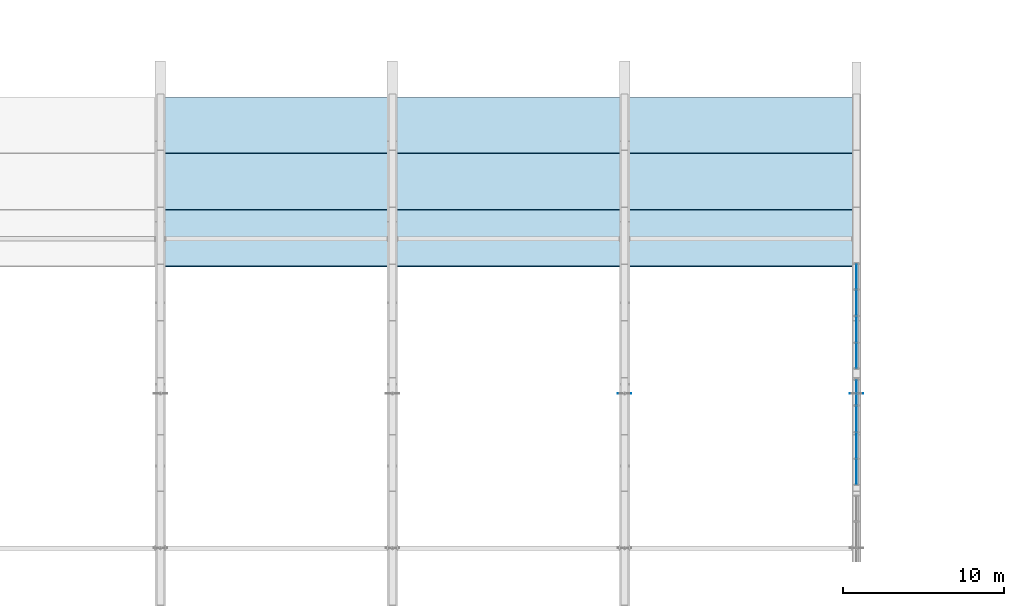
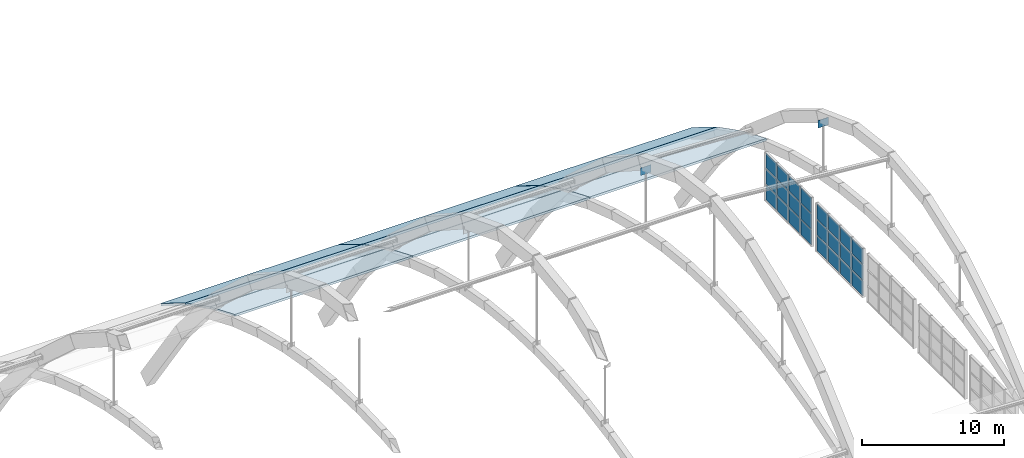
# One storey, part 42 of 64: 26 plates, 9 slabs, 2 elements without a shape of their own.
"""IFC4 building model written with IfcOpenShell, lengths in metres."""

from ifc_helpers import new_model, si_unit, direction, frame, origin, origin_2d, place, context, subcontext, project, spatial, polyline, rectangle, outline, extrude, material, layer, layer_set, type_object, element, aggregate, save


model = new_model("IFC4")

# Units and contexts
model_context = context("Model", 3, precision=1e-05, world=origin(), true_north=direction((0.0, 1.0)))
body_context = subcontext(model_context, "Body", "Model", "MODEL_VIEW")
ifc_project = project(units=[si_unit("LENGTHUNIT", "METRE"), si_unit("AREAUNIT", "SQUARE_METRE"), si_unit("VOLUMEUNIT", "CUBIC_METRE"), si_unit("PLANEANGLEUNIT", "RADIAN"), si_unit("MASSUNIT", "GRAM", prefix="KILO")], contexts=[model_context])

# Site, building, storey
site_placement = place(None, origin())
site = spatial("IfcSite", under=ifc_project, at=site_placement, CompositionType="ELEMENT")
building_placement = place(site_placement, origin())
building = spatial("IfcBuilding", under=site, at=building_placement, Name="Leyfeld Transit Interchange", CompositionType="ELEMENT")
storey_placement = place(building_placement, frame((0.0, 0.0, 9.60009765625)))
storey = spatial("IfcBuildingStorey", under=building, at=storey_placement, Name="L02", CompositionType="ELEMENT", Elevation=9.60009765625)

# Curtain wall, plates
ifc_material_1 = material(Name="Anodised aluminium EN AW-6060 T66", Category="aluminium")
curtain_wall_type = type_object("IfcCurtainWallType", Name="CW-SYS-GAB-7200", PredefinedType="NOTDEFINED", material=ifc_material_1)
curtain_wall_1_placement = place(storey_placement, origin())
curtain_wall_1 = element("IfcCurtainWall", 1, at=curtain_wall_1_placement, inside=storey, type_object=curtain_wall_type, Name="Curtain Wall CW-L02-GABE-04", PredefinedType="NOTDEFINED")
ifc_material_2 = material(Name="Laminated safety acoustic glazing", Category="glass")
ifc_layer_1 = layer(ifc_material_2, 0.048095703125, Name="Laminated safety acoustic glazing")
ifc_layer_set_1 = layer_set([ifc_layer_1], Name="Laminated safety acoustic glazing")
plate_type_1 = type_object("IfcPlateType", Name="CW-PNL-ACU-48", PredefinedType="CURTAIN_PANEL", material=ifc_layer_set_1)
plate_1_placement = place(storey_placement, frame((100.800048828125, 37.146240234375, -0.5166015625), z_axis=(0.0, 0.0, 1.0), x_axis=(0.0, 1.0, 0.0)))
plate_1 = element("IfcPlate", 2, at=plate_1_placement, type_object=plate_type_1, Name="Glazed Curtain Panel CW-L02-GABE-04-P01_1", PredefinedType="CURTAIN_PANEL", context=body_context, shape_type="SweptSolid", body=[
    extrude(rectangle(XDim=1.525390625, YDim=0.048095703125, at=origin_2d()), origin(), (0.0, 0.0, 1.0), 1.289794921875),
])
plate_2_placement = place(storey_placement, frame((100.800048828125, 37.146240234375, 0.855224609375), z_axis=(0.0, 0.0, 1.0), x_axis=(0.0, 1.0, 0.0)))
plate_2 = element("IfcPlate", 3, at=plate_2_placement, type_object=plate_type_1, Name="Glazed Curtain Panel CW-L02-GABE-04-P01_2", PredefinedType="CURTAIN_PANEL", context=body_context, shape_type="SweptSolid", body=[
    extrude(rectangle(XDim=1.525390625, YDim=0.048095703125, at=origin_2d()), origin(), (0.0, 0.0, 1.0), 1.28955078125),
])
plate_3_placement = place(storey_placement, frame((100.800048828125, 37.146240234375, 2.2265625), z_axis=(0.0, 0.0, 1.0), x_axis=(0.0, 1.0, 0.0)))
plate_3 = element("IfcPlate", 4, at=plate_3_placement, type_object=plate_type_1, Name="Glazed Curtain Panel CW-L02-GABE-04-P01_3", PredefinedType="CURTAIN_PANEL", context=body_context, shape_type="SweptSolid", body=[
    extrude(rectangle(XDim=1.525390625, YDim=0.048095703125, at=origin_2d()), origin(), (0.0, 0.0, 1.0), 1.289794921875),
])
plate_4_placement = place(storey_placement, frame((100.800048828125, 38.77490234375, -0.5166015625), z_axis=(0.0, 0.0, 1.0), x_axis=(0.0, 1.0, 0.0)))
plate_4 = element("IfcPlate", 5, at=plate_4_placement, type_object=plate_type_1, Name="Glazed Curtain Panel CW-L02-GABE-04-P02_1", PredefinedType="CURTAIN_PANEL", context=body_context, shape_type="SweptSolid", body=[
    extrude(rectangle(XDim=1.568115234375, YDim=0.048095703125, at=origin_2d()), origin(), (0.0, 0.0, 1.0), 1.289794921875),
])
plate_5_placement = place(storey_placement, frame((100.800048828125, 38.77490234375, 0.855224609375), z_axis=(0.0, 0.0, 1.0), x_axis=(0.0, 1.0, 0.0)))
plate_5 = element("IfcPlate", 6, at=plate_5_placement, type_object=plate_type_1, Name="Glazed Curtain Panel CW-L02-GABE-04-P02_2", PredefinedType="CURTAIN_PANEL", context=body_context, shape_type="SweptSolid", body=[
    extrude(rectangle(XDim=1.568115234375, YDim=0.048095703125, at=origin_2d()), origin(), (0.0, 0.0, 1.0), 1.28955078125),
])
plate_6_placement = place(storey_placement, frame((100.800048828125, 38.77490234375, 2.2265625), z_axis=(0.0, 0.0, 1.0), x_axis=(0.0, 1.0, 0.0)))
plate_6 = element("IfcPlate", 7, at=plate_6_placement, type_object=plate_type_1, Name="Glazed Curtain Panel CW-L02-GABE-04-P02_3", PredefinedType="CURTAIN_PANEL", context=body_context, shape_type="SweptSolid", body=[
    extrude(rectangle(XDim=1.568115234375, YDim=0.048095703125, at=origin_2d()), origin(), (0.0, 0.0, 1.0), 1.289794921875),
])
plate_7_placement = place(storey_placement, frame((100.800048828125, 40.425048828125, -0.5166015625), z_axis=(0.0, 0.0, 1.0), x_axis=(0.0, 1.0, 0.0)))
plate_7 = element("IfcPlate", 8, at=plate_7_placement, type_object=plate_type_1, Name="Glazed Curtain Panel CW-L02-GABE-04-P03_1", PredefinedType="CURTAIN_PANEL", context=body_context, shape_type="SweptSolid", body=[
    extrude(rectangle(XDim=1.568115234375, YDim=0.048095703125, at=origin_2d()), origin(), (0.0, 0.0, 1.0), 1.289794921875),
])
plate_8_placement = place(storey_placement, frame((100.800048828125, 40.425048828125, 0.855224609375), z_axis=(0.0, 0.0, 1.0), x_axis=(0.0, 1.0, 0.0)))
plate_8 = element("IfcPlate", 9, at=plate_8_placement, type_object=plate_type_1, Name="Glazed Curtain Panel CW-L02-GABE-04-P03_2", PredefinedType="CURTAIN_PANEL", context=body_context, shape_type="SweptSolid", body=[
    extrude(rectangle(XDim=1.568115234375, YDim=0.048095703125, at=origin_2d()), origin(), (0.0, 0.0, 1.0), 1.28955078125),
])
plate_9_placement = place(storey_placement, frame((100.800048828125, 40.425048828125, 2.2265625), z_axis=(0.0, 0.0, 1.0), x_axis=(0.0, 1.0, 0.0)))
plate_9 = element("IfcPlate", 10, at=plate_9_placement, type_object=plate_type_1, Name="Glazed Curtain Panel CW-L02-GABE-04-P03_3", PredefinedType="CURTAIN_PANEL", context=body_context, shape_type="SweptSolid", body=[
    extrude(rectangle(XDim=1.568115234375, YDim=0.048095703125, at=origin_2d()), origin(), (0.0, 0.0, 1.0), 1.289794921875),
])
plate_10_placement = place(storey_placement, frame((100.800048828125, 42.0537109375, -0.5166015625), z_axis=(0.0, 0.0, 1.0), x_axis=(0.0, 1.0, 0.0)))
plate_10 = element("IfcPlate", 11, at=plate_10_placement, type_object=plate_type_1, Name="Glazed Curtain Panel CW-L02-GABE-04-P04_1", PredefinedType="CURTAIN_PANEL", context=body_context, shape_type="SweptSolid", body=[
    extrude(rectangle(XDim=1.525390625, YDim=0.048095703125, at=origin_2d()), origin(), (0.0, 0.0, 1.0), 1.289794921875),
])
plate_11_placement = place(storey_placement, frame((100.800048828125, 42.0537109375, 0.855224609375), z_axis=(0.0, 0.0, 1.0), x_axis=(0.0, 1.0, 0.0)))
plate_11 = element("IfcPlate", 12, at=plate_11_placement, type_object=plate_type_1, Name="Glazed Curtain Panel CW-L02-GABE-04-P04_2", PredefinedType="CURTAIN_PANEL", context=body_context, shape_type="SweptSolid", body=[
    extrude(rectangle(XDim=1.525390625, YDim=0.048095703125, at=origin_2d()), origin(), (0.0, 0.0, 1.0), 1.28955078125),
])
plate_12_placement = place(storey_placement, frame((100.800048828125, 42.0537109375, 2.2265625), z_axis=(0.0, 0.0, 1.0), x_axis=(0.0, 1.0, 0.0)))
plate_12 = element("IfcPlate", 13, at=plate_12_placement, type_object=plate_type_1, Name="Glazed Curtain Panel CW-L02-GABE-04-P04_3", PredefinedType="CURTAIN_PANEL", context=body_context, shape_type="SweptSolid", body=[
    extrude(rectangle(XDim=1.525390625, YDim=0.048095703125, at=origin_2d()), origin(), (0.0, 0.0, 1.0), 1.289794921875),
])
aggregate(curtain_wall_1, [plate_1, plate_2, plate_3, plate_4, plate_5, plate_6, plate_7, plate_8, plate_9, plate_10, plate_11, plate_12])

curtain_wall_2_placement = place(storey_placement, origin())
curtain_wall_2 = element("IfcCurtainWall", 14, at=curtain_wall_2_placement, inside=storey, type_object=curtain_wall_type, Name="Curtain Wall CW-L02-GABE-05", PredefinedType="NOTDEFINED")
plate_13_placement = place(storey_placement, frame((100.800048828125, 44.34619140625, -0.5166015625), z_axis=(0.0, 0.0, 1.0), x_axis=(0.0, 1.0, 0.0)))
plate_13 = element("IfcPlate", 15, at=plate_13_placement, type_object=plate_type_1, Name="Glazed Curtain Panel CW-L02-GABE-05-P01_1", PredefinedType="CURTAIN_PANEL", context=body_context, shape_type="SweptSolid", body=[
    extrude(rectangle(XDim=1.525390625, YDim=0.048095703125, at=origin_2d()), origin(), (0.0, 0.0, 1.0), 1.289794921875),
])
plate_14_placement = place(storey_placement, frame((100.800048828125, 44.34619140625, 0.855224609375), z_axis=(0.0, 0.0, 1.0), x_axis=(0.0, 1.0, 0.0)))
plate_14 = element("IfcPlate", 16, at=plate_14_placement, type_object=plate_type_1, Name="Glazed Curtain Panel CW-L02-GABE-05-P01_2", PredefinedType="CURTAIN_PANEL", context=body_context, shape_type="SweptSolid", body=[
    extrude(rectangle(XDim=1.525390625, YDim=0.048095703125, at=origin_2d()), origin(), (0.0, 0.0, 1.0), 1.28955078125),
])
plate_15_placement = place(storey_placement, frame((100.800048828125, 44.34619140625, 2.2265625), z_axis=(0.0, 0.0, 1.0), x_axis=(0.0, 1.0, 0.0)))
plate_15 = element("IfcPlate", 17, at=plate_15_placement, type_object=plate_type_1, Name="Glazed Curtain Panel CW-L02-GABE-05-P01_3", PredefinedType="CURTAIN_PANEL", context=body_context, shape_type="SweptSolid", body=[
    extrude(rectangle(XDim=1.525390625, YDim=0.048095703125, at=origin_2d()), origin(), (0.0, 0.0, 1.0), 1.289794921875),
])
plate_16_placement = place(storey_placement, frame((100.800048828125, 45.97509765625, -0.5166015625), z_axis=(0.0, 0.0, 1.0), x_axis=(0.0, 1.0, 0.0)))
plate_16 = element("IfcPlate", 18, at=plate_16_placement, type_object=plate_type_1, Name="Glazed Curtain Panel CW-L02-GABE-05-P02_1", PredefinedType="CURTAIN_PANEL", context=body_context, shape_type="SweptSolid", body=[
    extrude(rectangle(XDim=1.568115234375, YDim=0.048095703125, at=origin_2d()), origin(), (0.0, 0.0, 1.0), 1.289794921875),
])
plate_17_placement = place(storey_placement, frame((100.800048828125, 45.97509765625, 0.855224609375), z_axis=(0.0, 0.0, 1.0), x_axis=(0.0, 1.0, 0.0)))
plate_17 = element("IfcPlate", 19, at=plate_17_placement, type_object=plate_type_1, Name="Glazed Curtain Panel CW-L02-GABE-05-P02_2", PredefinedType="CURTAIN_PANEL", context=body_context, shape_type="SweptSolid", body=[
    extrude(rectangle(XDim=1.568115234375, YDim=0.048095703125, at=origin_2d()), origin(), (0.0, 0.0, 1.0), 1.28955078125),
])
plate_18_placement = place(storey_placement, frame((100.800048828125, 45.97509765625, 2.2265625), z_axis=(0.0, 0.0, 1.0), x_axis=(0.0, 1.0, 0.0)))
plate_18 = element("IfcPlate", 20, at=plate_18_placement, type_object=plate_type_1, Name="Glazed Curtain Panel CW-L02-GABE-05-P02_3", PredefinedType="CURTAIN_PANEL", context=body_context, shape_type="SweptSolid", body=[
    extrude(rectangle(XDim=1.568115234375, YDim=0.048095703125, at=origin_2d()), origin(), (0.0, 0.0, 1.0), 1.289794921875),
])
plate_19_placement = place(storey_placement, frame((100.800048828125, 47.625, -0.5166015625), z_axis=(0.0, 0.0, 1.0), x_axis=(0.0, 1.0, 0.0)))
plate_19 = element("IfcPlate", 21, at=plate_19_placement, type_object=plate_type_1, Name="Glazed Curtain Panel CW-L02-GABE-05-P03_1", PredefinedType="CURTAIN_PANEL", context=body_context, shape_type="SweptSolid", body=[
    extrude(rectangle(XDim=1.568115234375, YDim=0.048095703125, at=origin_2d()), origin(), (0.0, 0.0, 1.0), 1.289794921875),
])
plate_20_placement = place(storey_placement, frame((100.800048828125, 47.625, 0.855224609375), z_axis=(0.0, 0.0, 1.0), x_axis=(0.0, 1.0, 0.0)))
plate_20 = element("IfcPlate", 22, at=plate_20_placement, type_object=plate_type_1, Name="Glazed Curtain Panel CW-L02-GABE-05-P03_2", PredefinedType="CURTAIN_PANEL", context=body_context, shape_type="SweptSolid", body=[
    extrude(rectangle(XDim=1.568115234375, YDim=0.048095703125, at=origin_2d()), origin(), (0.0, 0.0, 1.0), 1.28955078125),
])
plate_21_placement = place(storey_placement, frame((100.800048828125, 47.625, 2.2265625), z_axis=(0.0, 0.0, 1.0), x_axis=(0.0, 1.0, 0.0)))
plate_21 = element("IfcPlate", 23, at=plate_21_placement, type_object=plate_type_1, Name="Glazed Curtain Panel CW-L02-GABE-05-P03_3", PredefinedType="CURTAIN_PANEL", context=body_context, shape_type="SweptSolid", body=[
    extrude(rectangle(XDim=1.568115234375, YDim=0.048095703125, at=origin_2d()), origin(), (0.0, 0.0, 1.0), 1.289794921875),
])
plate_22_placement = place(storey_placement, frame((100.800048828125, 49.253662109375, -0.5166015625), z_axis=(0.0, 0.0, 1.0), x_axis=(0.0, 1.0, 0.0)))
plate_22 = element("IfcPlate", 24, at=plate_22_placement, type_object=plate_type_1, Name="Glazed Curtain Panel CW-L02-GABE-05-P04_1", PredefinedType="CURTAIN_PANEL", context=body_context, shape_type="SweptSolid", body=[
    extrude(rectangle(XDim=1.525390625, YDim=0.048095703125, at=origin_2d()), origin(), (0.0, 0.0, 1.0), 1.289794921875),
])
plate_23_placement = place(storey_placement, frame((100.800048828125, 49.253662109375, 0.855224609375), z_axis=(0.0, 0.0, 1.0), x_axis=(0.0, 1.0, 0.0)))
plate_23 = element("IfcPlate", 25, at=plate_23_placement, type_object=plate_type_1, Name="Glazed Curtain Panel CW-L02-GABE-05-P04_2", PredefinedType="CURTAIN_PANEL", context=body_context, shape_type="SweptSolid", body=[
    extrude(rectangle(XDim=1.525390625, YDim=0.048095703125, at=origin_2d()), origin(), (0.0, 0.0, 1.0), 1.28955078125),
])
plate_24_placement = place(storey_placement, frame((100.800048828125, 49.253662109375, 2.2265625), z_axis=(0.0, 0.0, 1.0), x_axis=(0.0, 1.0, 0.0)))
plate_24 = element("IfcPlate", 26, at=plate_24_placement, type_object=plate_type_1, Name="Glazed Curtain Panel CW-L02-GABE-05-P04_3", PredefinedType="CURTAIN_PANEL", context=body_context, shape_type="SweptSolid", body=[
    extrude(rectangle(XDim=1.525390625, YDim=0.048095703125, at=origin_2d()), origin(), (0.0, 0.0, 1.0), 1.289794921875),
])
aggregate(curtain_wall_2, [plate_13, plate_14, plate_15, plate_16, plate_17, plate_18, plate_19, plate_20, plate_21, plate_22, plate_23, plate_24])

# Plates
ifc_material_3 = material(Name="Steel S355J2", Category="steel")
ifc_layer_2 = layer(ifc_material_3, 0.031982421875, Name="Steel S355J2")
ifc_layer_set_2 = layer_set([ifc_layer_2], Name="Steel S355J2")
plate_type_2 = type_object("IfcPlateType", Name="PLT-GUS-32", PredefinedType="SHEET", material=ifc_layer_set_2)
for number, where, z_axis, x_axis, name in (
    (27, (86.39990234375, 42.0, 11.59765625), (0.0, 0.0, 1.0), (1.0, 0.0, 0.0), "Hanger Upper Gusset Plate AR-06 H5"),
    (28, (100.800048828125, 42.0, 10.634765625), (0.0, 0.0, 1.0), (1.0, 0.0, 0.0), "Hanger Upper Gusset Plate GP-E H5"),
):
    element("IfcPlate", number, at=place(storey_placement, frame(where, z_axis=z_axis, x_axis=x_axis)), inside=storey, type_object=plate_type_2, Name=name, PredefinedType="SHEET", context=body_context, shape_type="SweptSolid", body=[
        extrude(rectangle(XDim=0.85009765625, YDim=0.031982421875, at=origin_2d()), origin(), (0.0, 0.0, 1.0), 0.64990234375),
    ])

# Slabs
ifc_material_4 = material(Name="Concrete C40/50", Category="concrete")
ifc_layer_3 = layer(ifc_material_4, 0.159912109375, Name="Concrete C40/50")
ifc_layer_set_3 = layer_set([ifc_layer_3], Name="Concrete C40/50")
slab_type_1 = type_object("IfcSlabType", Name="SLB-VAULT-160", PredefinedType="ROOF", material=ifc_layer_set_3)
slab_1_placement = place(storey_placement, frame((57.610107421875, 49.919921875, 4.805419921875), z_axis=(0.0, 0.385336514748, 0.922776121495), x_axis=(1.0, 0.0, 0.0)))
element("IfcSlab", 29, at=slab_1_placement, inside=storey, type_object=slab_type_1, Name="Concourse Barrel Vault Shell B5 F14", PredefinedType="ROOF", context=body_context, shape_type="SweptSolid", body=[
    extrude(outline(polyline([(0.0, 0.0), (14.3798828125, 0.0), (14.3798828125, 3.7495128633080363), (0.0, 3.7495128633080363), (0.0, 0.0)])), origin(), (0.0, 0.0, -1.0), 0.159912109375),
])
slab_2_placement = place(storey_placement, frame((57.610107421875, 53.419921875, 3.34228515625), z_axis=(0.0, 0.455386646839, 0.890293772797), x_axis=(1.0, 0.0, 0.0)))
element("IfcSlab", 30, at=slab_2_placement, inside=storey, type_object=slab_type_1, Name="Concourse Barrel Vault Shell B5 F15", PredefinedType="ROOF", context=body_context, shape_type="SweptSolid", body=[
    extrude(outline(polyline([(0.0, 0.0), (14.3798828125, 0.0), (14.3798828125, 3.8863137575712736), (0.0, 3.8863137575712736), (0.0, 0.0)])), origin(), (0.0, 0.0, -1.0), 0.159912109375),
])
slab_3_placement = place(storey_placement, frame((72.010009765625, 49.919921875, 4.805419921875), z_axis=(0.0, 0.385336514748, 0.922776121495), x_axis=(1.0, 0.0, 0.0)))
element("IfcSlab", 31, at=slab_3_placement, inside=storey, type_object=slab_type_1, Name="Concourse Barrel Vault Shell B6 F14", PredefinedType="ROOF", context=body_context, shape_type="SweptSolid", body=[
    extrude(outline(polyline([(0.0, 0.0), (14.3798828125, 0.0), (14.3798828125, 3.7495128633080363), (0.0, 3.7495128633080363), (0.0, 0.0)])), origin(), (0.0, 0.0, -1.0), 0.159912109375),
])
slab_4_placement = place(storey_placement, frame((72.010009765625, 53.419921875, 3.34228515625), z_axis=(0.0, 0.455386646839, 0.890293772797), x_axis=(1.0, 0.0, 0.0)))
element("IfcSlab", 32, at=slab_4_placement, inside=storey, type_object=slab_type_1, Name="Concourse Barrel Vault Shell B6 F15", PredefinedType="ROOF", context=body_context, shape_type="SweptSolid", body=[
    extrude(outline(polyline([(0.0, 0.0), (14.3798828125, 0.0), (14.3798828125, 3.8863137575712736), (0.0, 3.8863137575712736), (0.0, 0.0)])), origin(), (0.0, 0.0, -1.0), 0.159912109375),
])
slab_5_placement = place(storey_placement, frame((86.409912109375, 49.919921875, 4.805419921875), z_axis=(0.0, 0.385336514748, 0.922776121495), x_axis=(1.0, 0.0, 0.0)))
element("IfcSlab", 33, at=slab_5_placement, inside=storey, type_object=slab_type_1, Name="Concourse Barrel Vault Shell B7 F14", PredefinedType="ROOF", context=body_context, shape_type="SweptSolid", body=[
    extrude(outline(polyline([(0.0, 0.0), (14.364990234375, 0.0), (14.364990234375, 3.7495128633080363), (0.0, 3.7495128633080363), (0.0, 0.0)])), origin(), (0.0, 0.0, -1.0), 0.159912109375),
])
slab_6_placement = place(storey_placement, frame((86.409912109375, 53.419921875, 3.34228515625), z_axis=(0.0, 0.455386646839, 0.890293772797), x_axis=(1.0, 0.0, 0.0)))
element("IfcSlab", 34, at=slab_6_placement, inside=storey, type_object=slab_type_1, Name="Concourse Barrel Vault Shell B7 F15", PredefinedType="ROOF", context=body_context, shape_type="SweptSolid", body=[
    extrude(outline(polyline([(0.0, 0.0), (14.364990234375, 0.0), (14.364990234375, 3.886313757571274), (0.0, 3.886313757571274), (0.0, 0.0)])), origin(), (0.0, 0.0, -1.0), 0.159912109375),
])
ifc_layer_4 = layer(ifc_material_4, 0.175048828125, Name="Concrete C40/50")
ifc_layer_set_4 = layer_set([ifc_layer_4], Name="Concrete C40/50")
slab_type_2 = type_object("IfcSlabType", Name="SLB-VAULT-175", PredefinedType="ROOF", material=ifc_layer_set_4)
for number, where, z_axis, x_axis, name in (
    (35, (57.610107421875, 56.919921875, 1.550048828125), (0.0, 0.525436640298, 0.850832731524), (1.0, 0.0, 0.0), "Concourse Barrel Vault Shell B5 F16"),
    (36, (72.010009765625, 56.919921875, 1.550048828125), (0.0, 0.525436640298, 0.850832731524), (1.0, 0.0, 0.0), "Concourse Barrel Vault Shell B6 F16"),
):
    element("IfcSlab", number, at=place(storey_placement, frame(where, z_axis=z_axis, x_axis=x_axis)), inside=storey, type_object=slab_type_2, Name=name, PredefinedType="ROOF", context=body_context, shape_type="SweptSolid", body=[
        extrude(outline(polyline([(0.0, 0.0), (14.3798828125, 0.0), (14.3798828125, 4.066558336680718), (0.0, 4.066558336680718), (0.0, 0.0)])), origin(), (0.0, 0.0, -1.0), 0.175048828125),
    ])
slab_7_placement = place(storey_placement, frame((86.409912109375, 56.919921875, 1.550048828125), z_axis=(0.0, 0.525436640298, 0.850832731524), x_axis=(1.0, 0.0, 0.0)))
element("IfcSlab", 37, at=slab_7_placement, inside=storey, type_object=slab_type_2, Name="Concourse Barrel Vault Shell B7 F16", PredefinedType="ROOF", context=body_context, shape_type="SweptSolid", body=[
    extrude(outline(polyline([(0.0, 0.0), (14.364990234375, 0.0), (14.364990234375, 4.066558336680718), (0.0, 4.066558336680718), (0.0, 0.0)])), origin(), (0.0, 0.0, -1.0), 0.175048828125),
])

save(model, "model.ifc")
